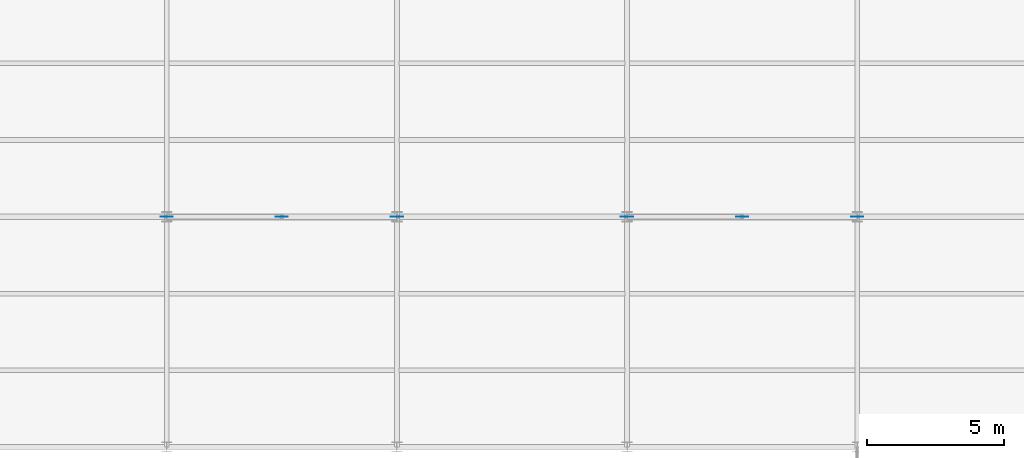
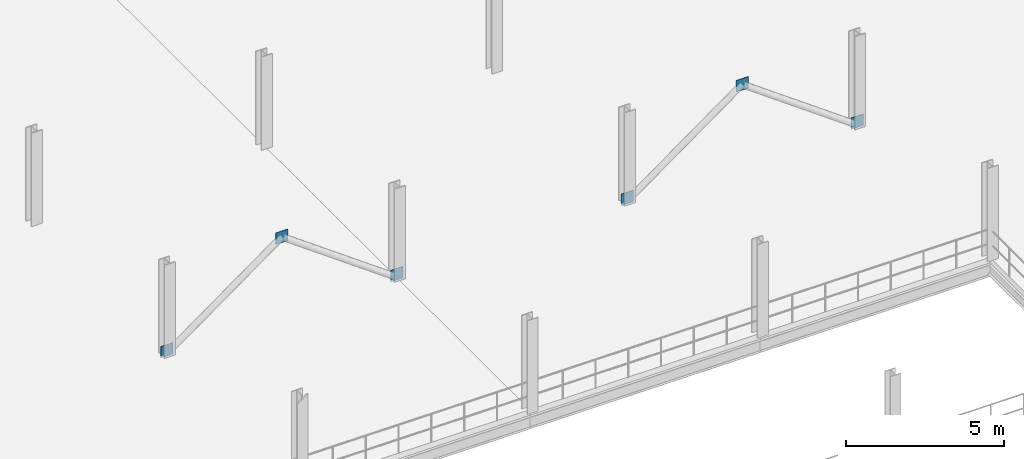
# One storey, part 58 of 79: 6 plates.
"""IFC4 building model written with IfcOpenShell, lengths in metres."""

import ifcopenshell
import ifcopenshell.guid

model = None  # the IFC model being written
_history = None  # IfcOwnerHistory: only IFC2X3 demands one
_inside = {}  # id of a spatial element -> (the spatial element, [elements in it])
_under = {}  # id of a project, library or spatial element -> (it, [spatial elements below it])
_declared = {}  # id of a project -> (the project, [libraries it declares])
_typed = {}  # id of a type object -> (the type object, [elements of that type])
_made_of = {}  # id of a material, layer set ... -> (it, [elements and type objects made of it])


def new_model(schema):
    """Start an empty IFC model of exactly this schema.

    Asked for "IFC4X3", IfcOpenShell would pick the latest addendum, in which some entities
    have other attributes; the version numbers below select the first issue.
    IFC2X3 requires an IfcOwnerHistory on every rooted entity: one is made here for all.
    """
    global model, _history
    if schema == "IFC4X3":
        model = ifcopenshell.file(schema_version=(4, 3, 0, 0))
    else:
        model = ifcopenshell.file(schema=schema)
    _inside.clear()
    _under.clear()
    _declared.clear()
    _typed.clear()
    _made_of.clear()
    _history = None
    if model.schema == "IFC2X3":
        org = make("IfcOrganization", Name="unknown")
        user = make(
            "IfcPersonAndOrganization",
            ThePerson=make("IfcPerson", FamilyName="unknown"),
            TheOrganization=org,
        )
        app = make(
            "IfcApplication",
            ApplicationDeveloper=org,
            Version="unknown",
            ApplicationFullName="unknown",
            ApplicationIdentifier="unknown",
        )
        _history = make(
            "IfcOwnerHistory",
            OwningUser=user,
            OwningApplication=app,
            ChangeAction="ADDED",
            CreationDate=0,
        )
    return model


def make(cls, **values):
    """One entity of the class cls with the attributes given. An attribute that is None is left unset."""
    return model.create_entity(
        cls, **{name: value for name, value in values.items() if value is not None}
    )


def rooted(cls, **values):
    """An entity with a GlobalId (a new one), such as an element, a storey or a relation."""
    return make(cls, GlobalId=ifcopenshell.guid.new(), OwnerHistory=_history, **values)


def si_unit(unit_type, name, prefix=None):
    """IfcSIUnit, for example si_unit("LENGTHUNIT", "METRE", prefix="MILLI")."""
    return make("IfcSIUnit", UnitType=unit_type, Prefix=prefix, Name=name)


def assignment(units):
    """IfcUnitAssignment: the units of a project."""
    return None if units is None else make("IfcUnitAssignment", Units=units)


def point(xyz):
    """IfcCartesianPoint."""
    return None if xyz is None else make("IfcCartesianPoint", Coordinates=xyz)


def direction(xyz):
    """IfcDirection."""
    return None if xyz is None else make("IfcDirection", DirectionRatios=xyz)


def frame(location, z_axis=None, x_axis=None):
    """IfcAxis2Placement3D, a coordinate frame: its origin and axes. An axis left out is left unset."""
    return make(
        "IfcAxis2Placement3D",
        Location=point(location),
        Axis=direction(z_axis),
        RefDirection=direction(x_axis),
    )


def frame_2d(location, x_axis=None):
    """IfcAxis2Placement2D, a coordinate frame in the plane: its origin and x axis."""
    return make(
        "IfcAxis2Placement2D", Location=point(location), RefDirection=direction(x_axis)
    )


def origin():
    """The frame at (0, 0, 0) with its axes left unset."""
    return frame((0.0, 0.0, 0.0))


def origin_2d():
    """The frame at (0, 0) in the plane with its x axis left unset."""
    return frame_2d((0.0, 0.0))


def place(relative_to, where):
    """IfcLocalPlacement: puts the frame where relative to a parent placement (None: the world)."""
    return make(
        "IfcLocalPlacement", PlacementRelTo=relative_to, RelativePlacement=where
    )


def context(
    kind, dimensions, precision=None, world=None, true_north=None, identifier=None
):
    """IfcGeometricRepresentationContext, for example the 3D "Model" context."""
    return make(
        "IfcGeometricRepresentationContext",
        ContextIdentifier=identifier,
        ContextType=kind,
        CoordinateSpaceDimension=dimensions,
        Precision=precision,
        WorldCoordinateSystem=world,
        TrueNorth=true_north,
    )


def subcontext(parent, identifier, kind, view, scale=None):
    """IfcGeometricRepresentationSubContext, for example "Body" below "Model"."""
    return make(
        "IfcGeometricRepresentationSubContext",
        ContextIdentifier=identifier,
        ContextType=kind,
        ParentContext=parent,
        TargetScale=scale,
        TargetView=view,
    )


def project(units=None, contexts=None):
    """IfcProject with its units and contexts."""
    return rooted(
        "IfcProject",
        Name="project",
        RepresentationContexts=contexts,
        UnitsInContext=assignment(units),
    )


def spatial(cls, under=None, at=None, **own):
    """A site, building, storey or space (cls), placed at a placement, below another one or the project."""
    s = rooted(cls, ObjectPlacement=at, **own)
    if under is not None:
        _under.setdefault(under.id(), (under, []))[1].append(s)
    return s


def profile(cls, at=None, kind="AREA", **sizes):
    """A parametric profile (cls). Its sizes go by their IFC names, for example OverallWidth=200.0."""
    return make(cls, ProfileType=kind, Position=at, **sizes)


def rectangle(**sizes):
    """IfcRectangleProfileDef."""
    return profile("IfcRectangleProfileDef", **sizes)


def extrude(swept, where, along, depth):
    """IfcExtrudedAreaSolid: the profile swept, set in the frame where, extruded along a direction by depth."""
    return make(
        "IfcExtrudedAreaSolid",
        SweptArea=swept,
        Position=where,
        ExtrudedDirection=direction(along),
        Depth=depth,
    )


def shape(context_of_items, identifier, shape_type, items):
    """IfcShapeRepresentation: the items that make up one representation, for example the "Body"."""
    return make(
        "IfcShapeRepresentation",
        ContextOfItems=context_of_items,
        RepresentationIdentifier=identifier,
        RepresentationType=shape_type,
        Items=items,
    )


def material(Name=None, Category=None):
    """IfcMaterial."""
    return make("IfcMaterial", Name=Name, Category=Category)


def layer(
    of_material, thickness, ventilated=None, Name=None, Category=None, Priority=None
):
    """IfcMaterialLayer: one layer of a wall or slab, of a material (None: an air gap)."""
    return make(
        "IfcMaterialLayer",
        Material=of_material,
        LayerThickness=thickness,
        IsVentilated=ventilated,
        Name=Name,
        Category=Category,
        Priority=Priority,
    )


def layer_set(layers, Name=None):
    """IfcMaterialLayerSet."""
    return make("IfcMaterialLayerSet", MaterialLayers=layers, LayerSetName=Name)


def made_of(thing, what):
    """Note that an element or type object is made of a material, layer set ...; save() writes the relation."""
    if what is not None:
        _made_of.setdefault(what.id(), (what, []))[1].append(thing)
    return thing


def type_object(cls, material=None, **own):
    """A type object (cls), such as IfcWallType, which elements share."""
    return made_of(rooted(cls, **own), material)


def element(
    cls,
    number,
    at=None,
    inside=None,
    cuts=None,
    type_object=None,
    material=None,
    context=None,
    identifier="Body",
    shape_type=None,
    held_by="IfcProductDefinitionShape",
    body=None,
    shapes=None,
    **own,
):
    """One element of the class cls, such as IfcWall. Its Tag is "e" and its number.

    at: its placement. inside: the storey or other place that contains it. cuts: it is an
    opening in that element (IfcRelVoidsElement). A single representation is given by context,
    identifier, shape_type and body (its items); several are given by shapes. held_by: the class
    of the entity that holds the representations. save() writes the other relations.
    """
    e = rooted(cls, Tag="e%d" % number, ObjectPlacement=at, **own)
    if body is not None:
        shapes = [shape(context, identifier, shape_type, body)]
    if shapes is not None:
        e.Representation = make(held_by, Representations=shapes)
    if inside is not None:
        _inside.setdefault(inside.id(), (inside, []))[1].append(e)
    if cuts is not None:
        rooted(
            "IfcRelVoidsElement", RelatingBuildingElement=cuts, RelatedOpeningElement=e
        )
    if type_object is not None:
        _typed.setdefault(type_object.id(), (type_object, []))[1].append(e)
    return made_of(e, material)


def aggregate(whole, parts):
    """IfcRelAggregates: a whole, such as a stair, and the parts it consists of."""
    return rooted("IfcRelAggregates", RelatingObject=whole, RelatedObjects=parts)


def save(model, path):
    """Write the relations noted so far, then the file.

    IfcRelAggregates (storeys below a building ...), IfcRelContainedInSpatialStructure (elements
    in a storey), IfcRelDefinesByType, IfcRelAssociatesMaterial and IfcRelDeclares: one each for
    every whole, place, type object, material and project.
    """
    for whole, parts in _under.values():
        aggregate(whole, parts)
    for where, things in _inside.values():
        rooted(
            "IfcRelContainedInSpatialStructure",
            RelatedElements=things,
            RelatingStructure=where,
        )
    for kind, things in _typed.values():
        rooted("IfcRelDefinesByType", RelatedObjects=things, RelatingType=kind)
    for what, things in _made_of.values():
        rooted("IfcRelAssociatesMaterial", RelatedObjects=things, RelatingMaterial=what)
    for by, libraries in _declared.values():
        rooted("IfcRelDeclares", RelatingContext=by, RelatedDefinitions=libraries)
    model.write(path)


model = new_model("IFC4")

# Units and contexts
model_context = context("Model", 3, precision=1e-05, world=origin(), true_north=direction((0.0, 1.0)))
body_context = subcontext(model_context, "Body", "Model", "MODEL_VIEW")
ifc_project = project(units=[si_unit("LENGTHUNIT", "METRE"), si_unit("AREAUNIT", "SQUARE_METRE"), si_unit("VOLUMEUNIT", "CUBIC_METRE"), si_unit("PLANEANGLEUNIT", "RADIAN"), si_unit("MASSUNIT", "GRAM", prefix="KILO"), si_unit("THERMODYNAMICTEMPERATUREUNIT", "KELVIN"), si_unit("POWERUNIT", "WATT")], contexts=[model_context])

# Site, building, storey
site_placement = place(None, origin())
site = spatial("IfcSite", under=ifc_project, at=site_placement, CompositionType="ELEMENT")
building_placement = place(site_placement, origin())
building = spatial("IfcBuilding", under=site, at=building_placement, Name="Tembeka Court Mobility Hub", CompositionType="ELEMENT")
storey_placement = place(building_placement, frame((0.0, 0.0, 9.0)))
storey = spatial("IfcBuildingStorey", under=building, at=storey_placement, Name="L02", CompositionType="ELEMENT", Elevation=9.0)

# Plates
ifc_material = material(Name="Steel S355", Category="steel")
ifc_layer = layer(ifc_material, 0.011962890625)
ifc_layer_set = layer_set([ifc_layer], Name="Steel S355")
plate_type = type_object("IfcPlateType", Name="PL-NDP02", PredefinedType="USERDEFINED", material=ifc_layer_set)
for number, where, z_axis, x_axis, name in (
    (1, (33.60009765625, 72.0, -0.0849609375), (0.0, 0.0, 1.0), (1.0, 0.0, 0.0), "Chevron brace gusset plate NDP02 (L02-3-1)"),
    (2, (42.0, 72.0, -0.0849609375), (0.0, 0.0, 1.0), (1.0, 0.0, 0.0), "Chevron brace gusset plate NDP02 (L02-3-2)"),
    (3, (37.800048828125, 72.0, 2.8251953125), (0.0, 0.0, 1.0), (1.0, 0.0, 0.0), "Chevron brace gusset plate NDP02 (L02-3-3)"),
    (4, (50.39990234375, 72.0, -0.0849609375), (0.0, 0.0, 1.0), (1.0, 0.0, 0.0), "Chevron brace gusset plate NDP02 (L02-9-1)"),
    (5, (58.800048828125, 72.0, -0.0849609375), (0.0, 0.0, 1.0), (1.0, 0.0, 0.0), "Chevron brace gusset plate NDP02 (L02-9-2)"),
    (6, (54.60009765625, 72.0, 2.8251953125), (0.0, 0.0, 1.0), (1.0, 0.0, 0.0), "Chevron brace gusset plate NDP02 (L02-9-3)"),
):
    element("IfcPlate", number, at=place(storey_placement, frame(where, z_axis=z_axis, x_axis=x_axis)), inside=storey, type_object=plate_type, Name=name, ObjectType="GUSSET PLATE", PredefinedType="USERDEFINED", context=body_context, shape_type="SweptSolid", body=[
        extrude(rectangle(XDim=0.449951171875, YDim=0.011962890625, at=origin_2d()), origin(), (0.0, 0.0, 1.0), 0.449951171875),
    ])

save(model, "model.ifc")
